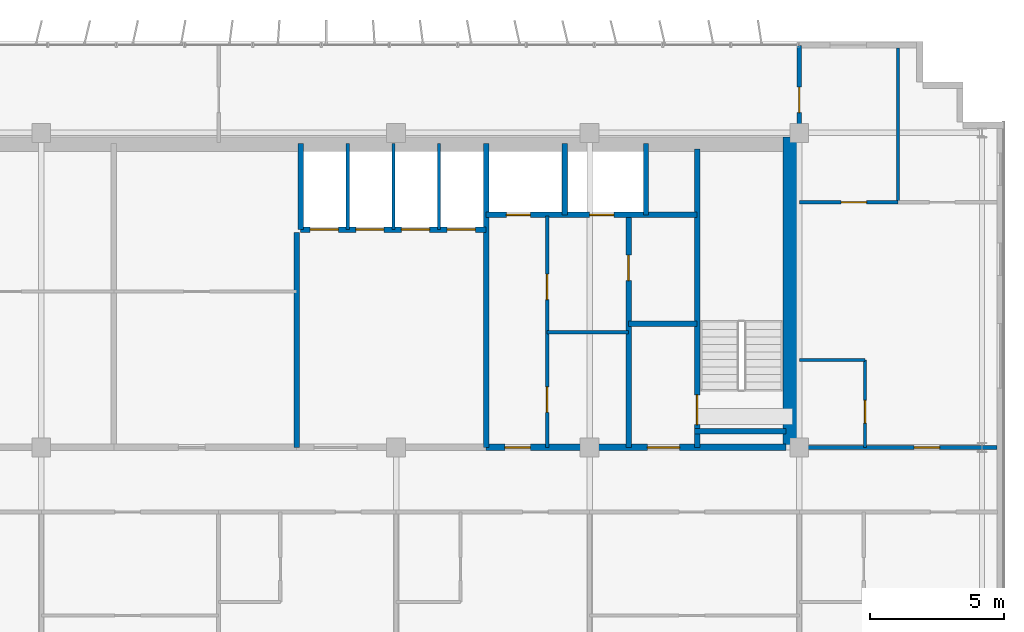
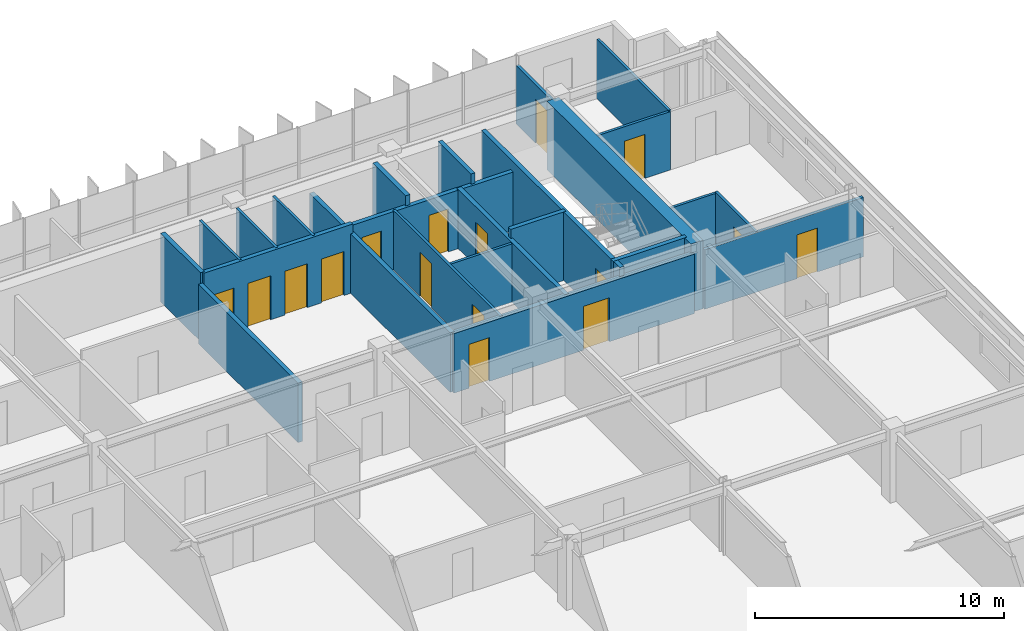
# One storey, part 20 of 23: 24 walls, 16 doors, 16 openings.
"""IFC4 building model written with IfcOpenShell, lengths in metres."""

from ifc_helpers import new_model, si_unit, direction, frame, frame_2d, origin, place, context, subcontext, project, spatial, rectangle, extrude, source, transform, mapped, material, layer, layer_set, type_object, element, fill, save


model = new_model("IFC4")

# Units and contexts
model_context = context("Model", 3, precision=1e-05, world=origin(), true_north=direction((0.0, 1.0)))
body_context = subcontext(model_context, "Body", "Model", "MODEL_VIEW")
ifc_project = project(units=[si_unit("LENGTHUNIT", "METRE"), si_unit("AREAUNIT", "SQUARE_METRE"), si_unit("VOLUMEUNIT", "CUBIC_METRE"), si_unit("PLANEANGLEUNIT", "RADIAN"), si_unit("MASSUNIT", "GRAM", prefix="KILO")], contexts=[model_context])

# Site, building, storey
site_placement = place(None, origin())
site = spatial("IfcSite", under=ifc_project, at=site_placement, CompositionType="ELEMENT")
building_placement = place(site_placement, origin())
building = spatial("IfcBuilding", under=site, at=building_placement, Name="Trelvane Seafront Commons", CompositionType="ELEMENT")
storey_placement = place(building_placement, frame((0.0, 0.0, 226.5)))
storey = spatial("IfcBuildingStorey", under=building, at=storey_placement, Name="L59", CompositionType="ELEMENT", Elevation=226.5)

# Wall, opening, door
ifc_material_1 = material(Name="Concrete C40/50", Category="concrete")
ifc_layer_1 = layer(ifc_material_1, 0.199951171875, Name="ARCH-WALL-FIRE200")
ifc_layer_set_1 = layer_set([ifc_layer_1], Name="Concrete C40/50")
wall_type_1 = type_object("IfcWallType", Name="ARCH-WALL-FIRE200", PredefinedType="PARTITIONING", material=ifc_layer_set_1)
wall_1_placement = place(storey_placement, frame((52.449951171875, 33.39990234375, 0.0), z_axis=(0.0, 0.0, 1.0), x_axis=(0.0, 1.0, 0.0)))
wall_1 = element("IfcWall", 1, at=wall_1_placement, inside=storey, type_object=wall_type_1, Name="W-L59-ST2V-W-030", PredefinedType="PARTITIONING", context=body_context, shape_type="SweptSolid", body=[
    extrude(rectangle(XDim=8.650146484375, YDim=0.199951171875, at=frame_2d((4.3251953125, 0.0))), origin(), (0.0, 0.0, 1.0), 2.909912109375),
])
opening_1_placement = place(wall_1_placement, frame((6.199951171875, 0.0, 0.0)))
opening_1 = element("IfcOpeningElement", 2, at=opening_1_placement, cuts=wall_1, Name="Opening FD-L59-17", PredefinedType="OPENING", context=body_context, shape_type="SweptSolid", body=[
    extrude(rectangle(XDim=0.949951171875, YDim=2.14990234375, at=frame_2d((0.47509765625, 1.074951171875))), frame((0.0, 0.10986328125, 0.0), z_axis=(0.0, -1.0, 0.0), x_axis=(1.0, 0.0, 0.0)), (0.0, 0.0, 1.0), 0.219970703125),
])
ifc_material_2 = material(Name="Powder-coated aluminium frame", Category="aluminium")
door_type_1 = type_object("IfcDoorType", Name="ARCH-DR-FD60-950", OperationType="NOTDEFINED", PredefinedType="DOOR", material=ifc_material_2)
shared_shape_1 = source(origin(), body_context, "Body", "SweptSolid", [
    extrude(rectangle(XDim=0.949951171875, YDim=2.14990234375, at=frame_2d((0.47509765625, 1.074951171875))), frame((0.0, 0.02490234375, 0.0), z_axis=(0.0, -1.0, 0.0), x_axis=(1.0, 0.0, 0.0)), (0.0, 0.0, 1.0), 0.050048828125),
])
door_1_placement = place(opening_1_placement, origin())
door_1 = element("IfcDoor", 3, at=door_1_placement, inside=storey, type_object=door_type_1, Name="L59 Cleaner Store Door", OperationType="SINGLE_SWING_LEFT", OverallHeight=2.14990234375, OverallWidth=0.949951171875, PredefinedType="DOOR", context=body_context, shape_type="MappedRepresentation", body=[
    mapped(shared_shape_1, transform((0.0, 0.0, 0.0), x_axis=(1.0, 0.0, 0.0), y_axis=(0.0, 1.0, 0.0), z_axis=(0.0, 0.0, 1.0), scale=1.0)),
])
fill(opening_1, door_1)

# Wall
wall_2_placement = place(storey_placement, frame((52.449951171875, 38.0, 0.0), z_axis=(0.0, 0.0, 1.0), x_axis=(1.0, 0.0, 0.0)))
element("IfcWall", 4, at=wall_2_placement, inside=storey, type_object=wall_type_1, Name="W-L59-ST2V-N-031", PredefinedType="PARTITIONING", context=body_context, shape_type="SweptSolid", body=[
    extrude(rectangle(XDim=2.550048828125, YDim=0.199951171875, at=frame_2d((1.27490234375, 0.0))), origin(), (0.0, 0.0, 1.0), 3.360107421875),
])

# Wall, openings, doors
ifc_layer_2 = layer(ifc_material_1, 0.25, Name="ARCH-WALL-FIRE250")
ifc_layer_set_2 = layer_set([ifc_layer_2], Name="Concrete C40/50")
wall_type_2 = type_object("IfcWallType", Name="ARCH-WALL-FIRE250", PredefinedType="PARTITIONING", material=ifc_layer_set_2)
wall_3_placement = place(storey_placement, frame((47.14990234375, 33.39990234375, 0.0), z_axis=(0.0, 0.0, 1.0), x_axis=(1.0, 0.0, 0.0)))
wall_3 = element("IfcWall", 5, at=wall_3_placement, inside=storey, type_object=wall_type_2, Name="W-L59-CS-EAST-034", PredefinedType="PARTITIONING", context=body_context, shape_type="SweptSolid", body=[
    extrude(rectangle(XDim=11.150146484375, YDim=0.25, at=frame_2d((5.5751953125, 0.0))), origin(), (0.0, 0.0, 1.0), 2.909912109375),
])
opening_2_placement = place(wall_3_placement, frame((0.699951171875, 0.0, 0.0)))
opening_2 = element("IfcOpeningElement", 6, at=opening_2_placement, cuts=wall_3, Name="Opening FD-L59-20", PredefinedType="OPENING", context=body_context, shape_type="SweptSolid", body=[
    extrude(rectangle(XDim=0.949951171875, YDim=2.14990234375, at=frame_2d((0.47509765625, 1.074951171875))), frame((0.0, 0.135009765625, 0.0), z_axis=(0.0, -1.0, 0.0), x_axis=(1.0, 0.0, 0.0)), (0.0, 0.0, 1.0), 0.27001953125),
])
opening_3_placement = place(wall_3_placement, frame((6.0, 0.0, 0.0)))
opening_3 = element("IfcOpeningElement", 7, at=opening_3_placement, cuts=wall_3, Name="Opening FD-L59-21", PredefinedType="OPENING", context=body_context, shape_type="SweptSolid", body=[
    extrude(rectangle(XDim=1.199951171875, YDim=2.14990234375, at=frame_2d((0.60009765625, 1.074951171875))), frame((0.0, 0.135009765625, 0.0), z_axis=(0.0, -1.0, 0.0), x_axis=(1.0, 0.0, 0.0)), (0.0, 0.0, 1.0), 0.27001953125),
])
door_2_placement = place(opening_2_placement, origin())
door_2 = element("IfcDoor", 8, at=door_2_placement, inside=storey, type_object=door_type_1, Name="L59 Core Service Lobby Door", OperationType="SINGLE_SWING_RIGHT", OverallHeight=2.14990234375, OverallWidth=0.949951171875, PredefinedType="DOOR", context=body_context, shape_type="MappedRepresentation", body=[
    mapped(shared_shape_1, transform((0.0, 0.0, 0.0), x_axis=(1.0, 0.0, 0.0), y_axis=(0.0, 1.0, 0.0), z_axis=(0.0, 0.0, 1.0), scale=1.0)),
])
fill(opening_2, door_2)
door_type_2 = type_object("IfcDoorType", Name="ARCH-DR-FD60-1200", OperationType="NOTDEFINED", PredefinedType="DOOR", material=ifc_material_2)
shared_shape_2 = source(origin(), body_context, "Body", "SweptSolid", [
    extrude(rectangle(XDim=1.199951171875, YDim=2.14990234375, at=frame_2d((0.60009765625, 1.074951171875))), frame((0.0, 0.02490234375, 0.0), z_axis=(0.0, -1.0, 0.0), x_axis=(1.0, 0.0, 0.0)), (0.0, 0.0, 1.0), 0.050048828125),
])
door_3_placement = place(opening_3_placement, origin())
door_3 = element("IfcDoor", 9, at=door_3_placement, inside=storey, type_object=door_type_2, Name="L59 East Stair Vestibule Fire Door", OperationType="SINGLE_SWING_LEFT", OverallHeight=2.14990234375, OverallWidth=1.199951171875, PredefinedType="DOOR", context=body_context, shape_type="MappedRepresentation", body=[
    mapped(shared_shape_2, transform((0.0, 0.0, 0.0), x_axis=(1.0, 0.0, 0.0), y_axis=(0.0, 1.0, 0.0), z_axis=(0.0, 0.0, 1.0), scale=1.0)),
])
fill(opening_3, door_3)

# Walls
ifc_material_3 = material(Name="Gypsum Drywall Acoustic Partition")
ifc_layer_3 = layer(ifc_material_3, 0.1201171875, Name="ARCH-WALL-PART120")
ifc_layer_set_3 = layer_set([ifc_layer_3], Name="Gypsum Drywall Acoustic Partition")
wall_type_3 = type_object("IfcWallType", Name="ARCH-WALL-PART120", PredefinedType="PARTITIONING", material=ifc_layer_set_3)
for number, where, z_axis, x_axis, name in (
    (10, (42.0, 41.5, 0.0), (0.0, 0.0, 1.0), (0.0, 1.0, 0.0), "W-L59-PH-DIV1-020"),
    (11, (43.699951171875, 41.5, 0.0), (0.0, 0.0, 1.0), (0.0, 1.0, 0.0), "W-L59-PH-DIV2-021"),
    (12, (45.39990234375, 41.5, 0.0), (0.0, 0.0, 1.0), (0.0, 1.0, 0.0), "W-L59-PH-DIV3-022"),
):
    element("IfcWall", number, at=place(storey_placement, frame(where, z_axis=z_axis, x_axis=x_axis)), inside=storey, type_object=wall_type_3, Name=name, PredefinedType="PARTITIONING", context=body_context, shape_type="SweptSolid", body=[
        extrude(rectangle(XDim=3.199951171875, YDim=0.1201171875, at=frame_2d((1.60009765625, 0.0))), origin(), (0.0, 0.0, 1.0), 3.360107421875),
    ])

# Wall, openings, doors
wall_4_placement = place(storey_placement, frame((49.419921875, 33.39990234375, 0.0), z_axis=(0.0, 0.0, 1.0), x_axis=(0.0, 1.0, 0.0)))
wall_4 = element("IfcWall", 13, at=wall_4_placement, inside=storey, type_object=wall_type_3, Name="W-L59-CYC0-V-032", PredefinedType="PARTITIONING", context=body_context, shape_type="SweptSolid", body=[
    extrude(rectangle(XDim=8.60009765625, YDim=0.1201171875, at=frame_2d((4.300048828125, 0.0))), origin(), (0.0, 0.0, 1.0), 2.909912109375),
])
opening_4_placement = place(wall_4_placement, frame((1.300048828125, 0.0, 0.0)))
opening_4 = element("IfcOpeningElement", 14, at=opening_4_placement, cuts=wall_4, Name="Opening D-L59-18", PredefinedType="OPENING", context=body_context, shape_type="SweptSolid", body=[
    extrude(rectangle(XDim=0.949951171875, YDim=2.14990234375, at=frame_2d((0.47509765625, 1.074951171875))), frame((0.0, 0.070068359375, 0.0), z_axis=(0.0, -1.0, 0.0), x_axis=(1.0, 0.0, 0.0)), (0.0, 0.0, 1.0), 0.14013671875),
])
opening_5_placement = place(wall_4_placement, frame((5.5, 0.0, 0.0)))
opening_5 = element("IfcOpeningElement", 15, at=opening_5_placement, cuts=wall_4, Name="Opening D-L59-19", PredefinedType="OPENING", context=body_context, shape_type="SweptSolid", body=[
    extrude(rectangle(XDim=0.949951171875, YDim=2.14990234375, at=frame_2d((0.47509765625, 1.074951171875))), frame((0.0, 0.070068359375, 0.0), z_axis=(0.0, -1.0, 0.0), x_axis=(1.0, 0.0, 0.0)), (0.0, 0.0, 1.0), 0.14013671875),
])
ifc_material_4 = material(Name="Acoustic timber door leaf", Category="wood")
door_type_3 = type_object("IfcDoorType", Name="ARCH-DR-INT950", OperationType="NOTDEFINED", PredefinedType="DOOR", material=ifc_material_4)
door_4_placement = place(opening_4_placement, origin())
door_4 = element("IfcDoor", 16, at=door_4_placement, inside=storey, type_object=door_type_3, Name="L59 Accessible WC Door", OperationType="SINGLE_SWING_RIGHT", OverallHeight=2.14990234375, OverallWidth=0.949951171875, PredefinedType="DOOR", context=body_context, shape_type="MappedRepresentation", body=[
    mapped(shared_shape_1, transform((0.0, 0.0, 0.0), x_axis=(1.0, 0.0, 0.0), y_axis=(0.0, 1.0, 0.0), z_axis=(0.0, 0.0, 1.0), scale=1.0)),
])
fill(opening_4, door_4)
door_5_placement = place(opening_5_placement, origin())
door_5 = element("IfcDoor", 17, at=door_5_placement, inside=storey, type_object=door_type_3, Name="L59 Common WC Door", OperationType="SINGLE_SWING_LEFT", OverallHeight=2.14990234375, OverallWidth=0.949951171875, PredefinedType="DOOR", context=body_context, shape_type="MappedRepresentation", body=[
    mapped(shared_shape_1, transform((0.0, 0.0, 0.0), x_axis=(1.0, 0.0, 0.0), y_axis=(0.0, 1.0, 0.0), z_axis=(0.0, 0.0, 1.0), scale=1.0)),
])
fill(opening_5, door_5)

# Wall
wall_5_placement = place(storey_placement, frame((49.419921875, 37.679931640625, 0.0), z_axis=(0.0, 0.0, 1.0), x_axis=(1.0, 0.0, 0.0)))
element("IfcWall", 18, at=wall_5_placement, inside=storey, type_object=wall_type_3, Name="W-L59-CYC0-H-033", PredefinedType="PARTITIONING", context=body_context, shape_type="SweptSolid", body=[
    extrude(rectangle(XDim=3.030029296875, YDim=0.1201171875, at=frame_2d((1.51513671875, 0.0))), origin(), (0.0, 0.0, 1.0), 2.860107421875),
])

# Wall, opening, door
wall_6_placement = place(storey_placement, frame((61.25, 33.39990234375, 0.0), z_axis=(0.0, 0.0, 1.0), x_axis=(0.0, 1.0, 0.0)))
wall_6 = element("IfcWall", 19, at=wall_6_placement, inside=storey, type_object=wall_type_3, Name="W-L59-NE-BE-041", PredefinedType="PARTITIONING", context=body_context, shape_type="SweptSolid", body=[
    extrude(rectangle(XDim=3.25, YDim=0.1201171875, at=frame_2d((1.625, 0.0))), origin(), (0.0, 0.0, 1.0), 2.909912109375),
])
opening_6_placement = place(wall_6_placement, frame((0.89990234375, 0.0, 0.0)))
opening_6 = element("IfcOpeningElement", 20, at=opening_6_placement, cuts=wall_6, Name="Opening D-L59-26", PredefinedType="OPENING", context=body_context, shape_type="SweptSolid", body=[
    extrude(rectangle(XDim=0.85009765625, YDim=2.10009765625, at=frame_2d((0.425048828125, 1.050048828125))), frame((0.0, 0.070068359375, 0.0), z_axis=(0.0, -1.0, 0.0), x_axis=(1.0, 0.0, 0.0)), (0.0, 0.0, 1.0), 0.14013671875),
])
door_type_4 = type_object("IfcDoorType", Name="ARCH-DR-INT850", OperationType="NOTDEFINED", PredefinedType="DOOR", material=ifc_material_4)
shared_shape_3 = source(origin(), body_context, "Body", "SweptSolid", [
    extrude(rectangle(XDim=0.85009765625, YDim=2.10009765625, at=frame_2d((0.425048828125, 1.050048828125))), frame((0.0, 0.02490234375, 0.0), z_axis=(0.0, -1.0, 0.0), x_axis=(1.0, 0.0, 0.0)), (0.0, 0.0, 1.0), 0.050048828125),
])
door_6_placement = place(opening_6_placement, origin())
door_6 = element("IfcDoor", 21, at=door_6_placement, inside=storey, type_object=door_type_4, Name="L59 Door 26", OperationType="SINGLE_SWING_RIGHT", OverallHeight=2.10009765625, OverallWidth=0.85009765625, PredefinedType="DOOR", context=body_context, shape_type="MappedRepresentation", body=[
    mapped(shared_shape_3, transform((0.0, 0.0, 0.0), x_axis=(1.0, 0.0, 0.0), y_axis=(0.0, 1.0, 0.0), z_axis=(0.0, 0.0, 1.0), scale=1.0)),
])
fill(opening_6, door_6)

# Wall
wall_7_placement = place(storey_placement, frame((58.800048828125, 36.64990234375, 0.0), z_axis=(0.0, 0.0, 1.0), x_axis=(1.0, 0.0, 0.0)))
element("IfcWall", 22, at=wall_7_placement, inside=storey, type_object=wall_type_3, Name="W-L59-NE-BN-042", PredefinedType="PARTITIONING", context=body_context, shape_type="SweptSolid", body=[
    extrude(rectangle(XDim=2.449951171875, YDim=0.1201171875, at=frame_2d((1.22509765625, 0.0))), origin(), (0.0, 0.0, 1.0), 2.860107421875),
])

# Wall, opening, door
wall_8_placement = place(storey_placement, frame((58.800048828125, 42.52001953125, 0.0), z_axis=(0.0, 0.0, 1.0), x_axis=(1.0, 0.0, 0.0)))
wall_8 = element("IfcWall", 23, at=wall_8_placement, inside=storey, type_object=wall_type_3, Name="W-L59-NE-KB1-043", PredefinedType="PARTITIONING", context=body_context, shape_type="SweptSolid", body=[
    extrude(rectangle(XDim=3.675048828125, YDim=0.1201171875, at=frame_2d((1.83740234375, 0.0))), origin(), (0.0, 0.0, 1.0), 2.860107421875),
])
opening_7_placement = place(wall_8_placement, frame((1.55908203125, 0.0, 0.0)))
opening_7 = element("IfcOpeningElement", 24, at=opening_7_placement, cuts=wall_8, Name="Opening D-L59-27", PredefinedType="OPENING", context=body_context, shape_type="SweptSolid", body=[
    extrude(rectangle(XDim=0.949951171875, YDim=2.14990234375, at=frame_2d((0.47509765625, 1.074951171875))), frame((0.0, 0.070068359375, 0.0), z_axis=(0.0, -1.0, 0.0), x_axis=(1.0, 0.0, 0.0)), (0.0, 0.0, 1.0), 0.14013671875),
])
door_7_placement = place(opening_7_placement, origin())
door_7 = element("IfcDoor", 25, at=door_7_placement, inside=storey, type_object=door_type_3, Name="L59 Door 27", OperationType="SINGLE_SWING_LEFT", OverallHeight=2.14990234375, OverallWidth=0.949951171875, PredefinedType="DOOR", context=body_context, shape_type="MappedRepresentation", body=[
    mapped(shared_shape_1, transform((0.0, 0.0, 0.0), x_axis=(1.0, 0.0, 0.0), y_axis=(0.0, 1.0, 0.0), z_axis=(0.0, 0.0, 1.0), scale=1.0)),
])
fill(opening_7, door_7)

# Wall
wall_9_placement = place(storey_placement, frame((62.47509765625, 42.52001953125, 0.0), z_axis=(0.0, 0.0, 1.0), x_axis=(0.0, 1.0, 0.0)))
element("IfcWall", 26, at=wall_9_placement, inside=storey, type_object=wall_type_3, Name="W-L59-NE-KBDV-045", PredefinedType="PARTITIONING", context=body_context, shape_type="SweptSolid", body=[
    extrude(rectangle(XDim=5.739990234375, YDim=0.1201171875, at=frame_2d((2.8701171875, 0.0))), origin(), (0.0, 0.0, 1.0), 2.909912109375),
])

# Wall, opening, door
ifc_layer_4 = layer(ifc_material_3, 0.14990234375, Name="ARCH-WALL-PART150")
ifc_layer_set_4 = layer_set([ifc_layer_4], Name="Gypsum Drywall Acoustic Partition")
wall_type_4 = type_object("IfcWallType", Name="ARCH-WALL-PART150", PredefinedType="PARTITIONING", material=ifc_layer_set_4)
wall_10_placement = place(storey_placement, frame((58.800048828125, 33.39990234375, 0.0), z_axis=(0.0, 0.0, 1.0), x_axis=(1.0, 0.0, 0.0)))
wall_10 = element("IfcWall", 27, at=wall_10_placement, inside=storey, type_object=wall_type_4, Name="W-L59-NE-ENT-046", PredefinedType="PARTITIONING", context=body_context, shape_type="SweptSolid", body=[
    extrude(rectangle(XDim=7.349853515625, YDim=0.14990234375, at=frame_2d((3.6748046875, 0.0))), origin(), (0.0, 0.0, 1.0), 2.909912109375),
])
opening_8_placement = place(wall_10_placement, frame((4.27490234375, 0.0, 0.0)))
opening_8 = element("IfcOpeningElement", 28, at=opening_8_placement, cuts=wall_10, Name="Opening FD-L59-29", PredefinedType="OPENING", context=body_context, shape_type="SweptSolid", body=[
    extrude(rectangle(XDim=0.949951171875, YDim=2.14990234375, at=frame_2d((0.47509765625, 1.074951171875))), frame((0.0, 0.0849609375, 0.0), z_axis=(0.0, -1.0, 0.0), x_axis=(1.0, 0.0, 0.0)), (0.0, 0.0, 1.0), 0.169921875),
])
door_8_placement = place(opening_8_placement, origin())
door_8 = element("IfcDoor", 29, at=door_8_placement, inside=storey, type_object=door_type_1, Name="L59 NE Flat Entrance Door", OperationType="SINGLE_SWING_LEFT", OverallHeight=2.14990234375, OverallWidth=0.949951171875, PredefinedType="DOOR", context=body_context, shape_type="MappedRepresentation", body=[
    mapped(shared_shape_1, transform((0.0, 0.0, 0.0), x_axis=(1.0, 0.0, 0.0), y_axis=(0.0, 1.0, 0.0), z_axis=(0.0, 0.0, 1.0), scale=1.0)),
])
fill(opening_8, door_8)

wall_11_placement = place(storey_placement, frame((58.800048828125, 44.75, 0.0), z_axis=(0.0, 0.0, 1.0), x_axis=(0.0, 1.0, 0.0)))
wall_11 = element("IfcWall", 30, at=wall_11_placement, inside=storey, type_object=wall_type_4, Name="W-L59-N-LINK-E-049", PredefinedType="PARTITIONING", context=body_context, shape_type="SweptSolid", body=[
    extrude(rectangle(XDim=3.610107421875, YDim=0.14990234375, at=frame_2d((1.80517578125, 0.0))), origin(), (0.0, 0.0, 1.0), 2.860107421875),
])
opening_9_placement = place(wall_11_placement, frame((1.10009765625, 0.0, 0.0)))
opening_9 = element("IfcOpeningElement", 31, at=opening_9_placement, cuts=wall_11, Name="Opening FD-L59-32", PredefinedType="OPENING", context=body_context, shape_type="SweptSolid", body=[
    extrude(rectangle(XDim=0.949951171875, YDim=2.14990234375, at=frame_2d((0.47509765625, 1.074951171875))), frame((0.0, 0.0849609375, 0.0), z_axis=(0.0, -1.0, 0.0), x_axis=(1.0, 0.0, 0.0)), (0.0, 0.0, 1.0), 0.169921875),
])
door_9_placement = place(opening_9_placement, origin())
door_9 = element("IfcDoor", 32, at=door_9_placement, inside=storey, type_object=door_type_1, Name="L59 Door 32", OperationType="SINGLE_SWING_RIGHT", OverallHeight=2.14990234375, OverallWidth=0.949951171875, PredefinedType="DOOR", context=body_context, shape_type="MappedRepresentation", body=[
    mapped(shared_shape_1, transform((0.0, 0.0, 0.0), x_axis=(1.0, 0.0, 0.0), y_axis=(0.0, 1.0, 0.0), z_axis=(0.0, 0.0, 1.0), scale=1.0)),
])
fill(opening_9, door_9)

# Wall
ifc_layer_5 = layer(ifc_material_1, 0.199951171875, Name="ARCH-WALL-SHAFT200")
ifc_layer_set_5 = layer_set([ifc_layer_5], Name="Concrete C40/50")
wall_type_5 = type_object("IfcWallType", Name="ARCH-WALL-SHAFT200", PredefinedType="SOLIDWALL", material=ifc_layer_set_5)
wall_12_placement = place(storey_placement, frame((40.10009765625, 33.39990234375, 0.0), z_axis=(0.0, 0.0, 1.0), x_axis=(0.0, 1.0, 0.0)))
element("IfcWall", 33, at=wall_12_placement, inside=storey, type_object=wall_type_5, Name="W-L59-FREED-PM-E-017", PredefinedType="SOLIDWALL", context=body_context, shape_type="SweptSolid", body=[
    extrude(rectangle(XDim=8.0, YDim=0.199951171875, at=frame_2d((4.0, 0.0))), origin(), (0.0, 0.0, 1.0), 2.909912109375),
])

# Wall, openings, doors
wall_13_placement = place(storey_placement, frame((40.25, 41.5, 0.0), z_axis=(0.0, 0.0, 1.0), x_axis=(1.0, 0.0, 0.0)))
wall_13 = element("IfcWall", 34, at=wall_13_placement, inside=storey, type_object=wall_type_5, Name="W-L59-PH-FRONT-018", PredefinedType="SOLIDWALL", context=body_context, shape_type="SweptSolid", body=[
    extrude(rectangle(XDim=6.89990234375, YDim=0.199951171875, at=frame_2d((3.449951171875, 0.0))), origin(), (0.0, 0.0, 1.0), 3.360107421875),
])
opening_10_placement = place(wall_13_placement, frame((0.35009765625, 0.0, 0.0)))
opening_10 = element("IfcOpeningElement", 35, at=opening_10_placement, cuts=wall_13, Name="Opening LD-PH1-L59", PredefinedType="OPENING", context=body_context, shape_type="SweptSolid", body=[
    extrude(rectangle(XDim=1.050048828125, YDim=2.14990234375, at=frame_2d((0.52490234375, 1.074951171875))), frame((0.0, 0.10986328125, 0.0), z_axis=(0.0, -1.0, 0.0), x_axis=(1.0, 0.0, 0.0)), (0.0, 0.0, 1.0), 0.219970703125),
])
opening_11_placement = place(wall_13_placement, frame((2.050048828125, 0.0, 0.0)))
opening_11 = element("IfcOpeningElement", 36, at=opening_11_placement, cuts=wall_13, Name="Opening LD-PH2-L59", PredefinedType="OPENING", context=body_context, shape_type="SweptSolid", body=[
    extrude(rectangle(XDim=1.050048828125, YDim=2.14990234375, at=frame_2d((0.52490234375, 1.074951171875))), frame((0.0, 0.10986328125, 0.0), z_axis=(0.0, -1.0, 0.0), x_axis=(1.0, 0.0, 0.0)), (0.0, 0.0, 1.0), 0.219970703125),
])
opening_12_placement = place(wall_13_placement, frame((3.75, 0.0, 0.0)))
opening_12 = element("IfcOpeningElement", 37, at=opening_12_placement, cuts=wall_13, Name="Opening LD-PH3-L59", PredefinedType="OPENING", context=body_context, shape_type="SweptSolid", body=[
    extrude(rectangle(XDim=1.050048828125, YDim=2.14990234375, at=frame_2d((0.52490234375, 1.074951171875))), frame((0.0, 0.10986328125, 0.0), z_axis=(0.0, -1.0, 0.0), x_axis=(1.0, 0.0, 0.0)), (0.0, 0.0, 1.0), 0.219970703125),
])
opening_13_placement = place(wall_13_placement, frame((5.449951171875, 0.0, 0.0)))
opening_13 = element("IfcOpeningElement", 38, at=opening_13_placement, cuts=wall_13, Name="Opening LD-PH4-L59", PredefinedType="OPENING", context=body_context, shape_type="SweptSolid", body=[
    extrude(rectangle(XDim=1.050048828125, YDim=2.14990234375, at=frame_2d((0.52490234375, 1.074951171875))), frame((0.0, 0.10986328125, 0.0), z_axis=(0.0, -1.0, 0.0), x_axis=(1.0, 0.0, 0.0)), (0.0, 0.0, 1.0), 0.219970703125),
])
ifc_material_5 = material(Name="Stainless steel balustrade", Category="steel")
door_type_5 = type_object("IfcDoorType", Name="ARCH-DR-LD1050", OperationType="DOUBLE_DOOR_SLIDING", PredefinedType="DOOR", material=ifc_material_5)
shared_shape_4 = source(origin(), body_context, "Body", "SweptSolid", [
    extrude(rectangle(XDim=1.050048828125, YDim=2.14990234375, at=frame_2d((0.52490234375, 1.074951171875))), frame((0.0, 0.02490234375, 0.0), z_axis=(0.0, -1.0, 0.0), x_axis=(1.0, 0.0, 0.0)), (0.0, 0.0, 1.0), 0.050048828125),
])
door_10_placement = place(opening_10_placement, origin())
door_10 = element("IfcDoor", 39, at=door_10_placement, inside=storey, type_object=door_type_5, Name="L59 Passenger Lift PH-1 Landing Door", OperationType="DOUBLE_DOOR_SLIDING", OverallHeight=2.14990234375, OverallWidth=1.050048828125, PredefinedType="DOOR", context=body_context, shape_type="MappedRepresentation", body=[
    mapped(shared_shape_4, transform((0.0, 0.0, 0.0), x_axis=(1.0, 0.0, 0.0), y_axis=(0.0, 1.0, 0.0), z_axis=(0.0, 0.0, 1.0), scale=1.0)),
])
fill(opening_10, door_10)
door_11_placement = place(opening_11_placement, origin())
door_11 = element("IfcDoor", 40, at=door_11_placement, inside=storey, type_object=door_type_5, Name="L59 Passenger Lift PH-2 Landing Door", OperationType="DOUBLE_DOOR_SLIDING", OverallHeight=2.14990234375, OverallWidth=1.050048828125, PredefinedType="DOOR", context=body_context, shape_type="MappedRepresentation", body=[
    mapped(shared_shape_4, transform((0.0, 0.0, 0.0), x_axis=(1.0, 0.0, 0.0), y_axis=(0.0, 1.0, 0.0), z_axis=(0.0, 0.0, 1.0), scale=1.0)),
])
fill(opening_11, door_11)
door_12_placement = place(opening_12_placement, origin())
door_12 = element("IfcDoor", 41, at=door_12_placement, inside=storey, type_object=door_type_5, Name="L59 Passenger Lift PH-3 Landing Door", OperationType="DOUBLE_DOOR_SLIDING", OverallHeight=2.14990234375, OverallWidth=1.050048828125, PredefinedType="DOOR", context=body_context, shape_type="MappedRepresentation", body=[
    mapped(shared_shape_4, transform((0.0, 0.0, 0.0), x_axis=(1.0, 0.0, 0.0), y_axis=(0.0, 1.0, 0.0), z_axis=(0.0, 0.0, 1.0), scale=1.0)),
])
fill(opening_12, door_12)
door_13_placement = place(opening_13_placement, origin())
door_13 = element("IfcDoor", 42, at=door_13_placement, inside=storey, type_object=door_type_5, Name="L59 Passenger Lift PH-4 Landing Door", OperationType="DOUBLE_DOOR_SLIDING", OverallHeight=2.14990234375, OverallWidth=1.050048828125, PredefinedType="DOOR", context=body_context, shape_type="MappedRepresentation", body=[
    mapped(shared_shape_4, transform((0.0, 0.0, 0.0), x_axis=(1.0, 0.0, 0.0), y_axis=(0.0, 1.0, 0.0), z_axis=(0.0, 0.0, 1.0), scale=1.0)),
])
fill(opening_13, door_13)

# Walls
wall_14_placement = place(storey_placement, frame((40.25, 41.5, 0.0), z_axis=(0.0, 0.0, 1.0), x_axis=(0.0, 1.0, 0.0)))
element("IfcWall", 43, at=wall_14_placement, inside=storey, type_object=wall_type_5, Name="W-L59-PH-WEST-SH-019", PredefinedType="SOLIDWALL", context=body_context, shape_type="SweptSolid", body=[
    extrude(rectangle(XDim=3.199951171875, YDim=0.199951171875, at=frame_2d((1.60009765625, 0.0))), origin(), (0.0, 0.0, 1.0), 3.360107421875),
])
wall_15_placement = place(storey_placement, frame((47.14990234375, 33.39990234375, 0.0), z_axis=(0.0, 0.0, 1.0), x_axis=(0.0, 1.0, 0.0)))
element("IfcWall", 44, at=wall_15_placement, inside=storey, type_object=wall_type_5, Name="W-L59-PH-EAST-023", PredefinedType="SOLIDWALL", context=body_context, shape_type="SweptSolid", body=[
    extrude(rectangle(XDim=11.300048828125, YDim=0.199951171875, at=frame_2d((5.64990234375, 0.0))), origin(), (0.0, 0.0, 1.0), 2.909912109375),
])

# Wall, openings, doors
wall_16_placement = place(storey_placement, frame((47.14990234375, 42.050048828125, 0.0), z_axis=(0.0, 0.0, 1.0), x_axis=(1.0, 0.0, 0.0)))
wall_16 = element("IfcWall", 45, at=wall_16_placement, inside=storey, type_object=wall_type_5, Name="W-L59-RSR-S-027", PredefinedType="SOLIDWALL", context=body_context, shape_type="SweptSolid", body=[
    extrude(rectangle(XDim=7.85009765625, YDim=0.199951171875, at=frame_2d((3.925048828125, 0.0))), origin(), (0.0, 0.0, 1.0), 2.860107421875),
])
opening_14_placement = place(wall_16_placement, frame((0.75, 0.0, 0.0)))
opening_14 = element("IfcOpeningElement", 46, at=opening_14_placement, cuts=wall_16, Name="Opening FD-L59-15", PredefinedType="OPENING", context=body_context, shape_type="SweptSolid", body=[
    extrude(rectangle(XDim=0.89990234375, YDim=2.10009765625, at=frame_2d((0.449951171875, 1.050048828125))), frame((0.0, 0.10986328125, 0.0), z_axis=(0.0, -1.0, 0.0), x_axis=(1.0, 0.0, 0.0)), (0.0, 0.0, 1.0), 0.219970703125),
])
opening_15_placement = place(wall_16_placement, frame((3.85009765625, 0.0, 0.0)))
opening_15 = element("IfcOpeningElement", 47, at=opening_15_placement, cuts=wall_16, Name="Opening FD-L59-16", PredefinedType="OPENING", context=body_context, shape_type="SweptSolid", body=[
    extrude(rectangle(XDim=0.89990234375, YDim=2.10009765625, at=frame_2d((0.449951171875, 1.050048828125))), frame((0.0, 0.10986328125, 0.0), z_axis=(0.0, -1.0, 0.0), x_axis=(1.0, 0.0, 0.0)), (0.0, 0.0, 1.0), 0.219970703125),
])
door_type_6 = type_object("IfcDoorType", Name="ARCH-DR-FD60-900", OperationType="NOTDEFINED", PredefinedType="DOOR", material=ifc_material_2)
shared_shape_5 = source(origin(), body_context, "Body", "SweptSolid", [
    extrude(rectangle(XDim=0.89990234375, YDim=2.10009765625, at=frame_2d((0.449951171875, 1.050048828125))), frame((0.0, 0.02490234375, 0.0), z_axis=(0.0, -1.0, 0.0), x_axis=(1.0, 0.0, 0.0)), (0.0, 0.0, 1.0), 0.050048828125),
])
door_14_placement = place(opening_14_placement, origin())
door_14 = element("IfcDoor", 48, at=door_14_placement, inside=storey, type_object=door_type_6, Name="L59 Electrical Riser Access Door", OperationType="SINGLE_SWING_LEFT", OverallHeight=2.10009765625, OverallWidth=0.89990234375, PredefinedType="DOOR", context=body_context, shape_type="MappedRepresentation", body=[
    mapped(shared_shape_5, transform((0.0, 0.0, 0.0), x_axis=(1.0, 0.0, 0.0), y_axis=(0.0, 1.0, 0.0), z_axis=(0.0, 0.0, 1.0), scale=1.0)),
])
fill(opening_14, door_14)
door_15_placement = place(opening_15_placement, origin())
door_15 = element("IfcDoor", 49, at=door_15_placement, inside=storey, type_object=door_type_6, Name="L59 Mechanical Riser Access Door", OperationType="SINGLE_SWING_RIGHT", OverallHeight=2.10009765625, OverallWidth=0.89990234375, PredefinedType="DOOR", context=body_context, shape_type="MappedRepresentation", body=[
    mapped(shared_shape_5, transform((0.0, 0.0, 0.0), x_axis=(1.0, 0.0, 0.0), y_axis=(0.0, 1.0, 0.0), z_axis=(0.0, 0.0, 1.0), scale=1.0)),
])
fill(opening_15, door_15)

# Walls
for number, where, z_axis, x_axis, name in (
    (50, (50.080078125, 42.050048828125, 0.0), (0.0, 0.0, 1.0), (0.0, 1.0, 0.0), "W-L59-RSR-DIV-028"),
    (51, (53.10009765625, 42.050048828125, 0.0), (0.0, 0.0, 1.0), (0.0, 1.0, 0.0), "W-L59-RSR-E-029"),
):
    element("IfcWall", number, at=place(storey_placement, frame(where, z_axis=z_axis, x_axis=x_axis)), inside=storey, type_object=wall_type_5, Name=name, PredefinedType="SOLIDWALL", context=body_context, shape_type="SweptSolid", body=[
        extrude(rectangle(XDim=2.64990234375, YDim=0.199951171875, at=frame_2d((1.324951171875, 0.0))), origin(), (0.0, 0.0, 1.0), 3.360107421875),
    ])
ifc_material_6 = material(Name="Concrete C50/60", Category="concrete")
ifc_layer_6 = layer(ifc_material_6, 0.550048828125, Name="STR-WALL-CORE550")
ifc_layer_set_6 = layer_set([ifc_layer_6], Name="Concrete C50/60")
wall_type_6 = type_object("IfcWallType", Name="STR-WALL-CORE550", PredefinedType="SHEAR", material=ifc_layer_set_6)
wall_17_placement = place(storey_placement, frame((58.47509765625, 33.39990234375, 0.0), z_axis=(0.0, 0.0, 1.0), x_axis=(0.0, 1.0, 0.0)))
element("IfcWall", 52, at=wall_17_placement, inside=storey, type_object=wall_type_6, Name="W-L59-CE-END-003", PredefinedType="SHEAR", context=body_context, shape_type="SweptSolid", body=[
    extrude(rectangle(XDim=11.550048828125, YDim=0.550048828125, at=frame_2d((5.77490234375, 0.0))), origin(), (0.0, 0.0, 1.0), 3.360107421875),
])
ifc_layer_7 = layer(ifc_material_6, 0.199951171875, Name="STR-WALL-STAIR200")
ifc_layer_set_7 = layer_set([ifc_layer_7], Name="Concrete C50/60")
wall_type_7 = type_object("IfcWallType", Name="STR-WALL-STAIR200", PredefinedType="SHEAR", material=ifc_layer_set_7)
wall_18_placement = place(storey_placement, frame((54.89990234375, 34.0, 0.0), z_axis=(0.0, 0.0, 1.0), x_axis=(1.0, 0.0, 0.0)))
element("IfcWall", 53, at=wall_18_placement, inside=storey, type_object=wall_type_7, Name="W-L59-ST2-S-006", PredefinedType="SHEAR", context=body_context, shape_type="SweptSolid", body=[
    extrude(rectangle(XDim=3.400146484375, YDim=0.199951171875, at=frame_2d((1.7001953125, 0.0))), origin(), (0.0, 0.0, 1.0), 3.360107421875),
])

# Wall, opening, door
wall_19_placement = place(storey_placement, frame((55.0, 33.39990234375, 0.0), z_axis=(0.0, 0.0, 1.0), x_axis=(0.0, 1.0, 0.0)))
wall_19 = element("IfcWall", 54, at=wall_19_placement, inside=storey, type_object=wall_type_7, Name="W-L59-ST2-W-007", PredefinedType="SHEAR", context=body_context, shape_type="SweptSolid", body=[
    extrude(rectangle(XDim=11.10009765625, YDim=0.199951171875, at=frame_2d((5.550048828125, 0.0))), origin(), (0.0, 0.0, 1.0), 3.360107421875),
])
opening_16_placement = place(wall_19_placement, frame((0.85009765625, 0.0, 0.0)))
opening_16 = element("IfcOpeningElement", 55, at=opening_16_placement, cuts=wall_19, Name="Opening ST-D2-L59", PredefinedType="OPENING", context=body_context, shape_type="SweptSolid", body=[
    extrude(rectangle(XDim=1.10009765625, YDim=2.14990234375, at=frame_2d((0.550048828125, 1.074951171875))), frame((0.0, 0.10986328125, 0.0), z_axis=(0.0, -1.0, 0.0), x_axis=(1.0, 0.0, 0.0)), (0.0, 0.0, 1.0), 0.219970703125),
])
door_type_7 = type_object("IfcDoorType", Name="ARCH-DR-FD90-1100", OperationType="NOTDEFINED", PredefinedType="DOOR", material=ifc_material_2)
shared_shape_6 = source(origin(), body_context, "Body", "SweptSolid", [
    extrude(rectangle(XDim=1.10009765625, YDim=2.14990234375, at=frame_2d((0.550048828125, 1.074951171875))), frame((0.0, 0.02490234375, 0.0), z_axis=(0.0, -1.0, 0.0), x_axis=(1.0, 0.0, 0.0)), (0.0, 0.0, 1.0), 0.050048828125),
])
door_16_placement = place(opening_16_placement, origin())
door_16 = element("IfcDoor", 56, at=door_16_placement, inside=storey, type_object=door_type_7, Name="L59 Stair ST-2 Vestibule Fire Door", OperationType="SINGLE_SWING_RIGHT", OverallHeight=2.14990234375, OverallWidth=1.10009765625, PredefinedType="DOOR", context=body_context, shape_type="MappedRepresentation", body=[
    mapped(shared_shape_6, transform((0.0, 0.0, 0.0), x_axis=(1.0, 0.0, 0.0), y_axis=(0.0, 1.0, 0.0), z_axis=(0.0, 0.0, 1.0), scale=1.0)),
])
fill(opening_16, door_16)

save(model, "model.ifc")
